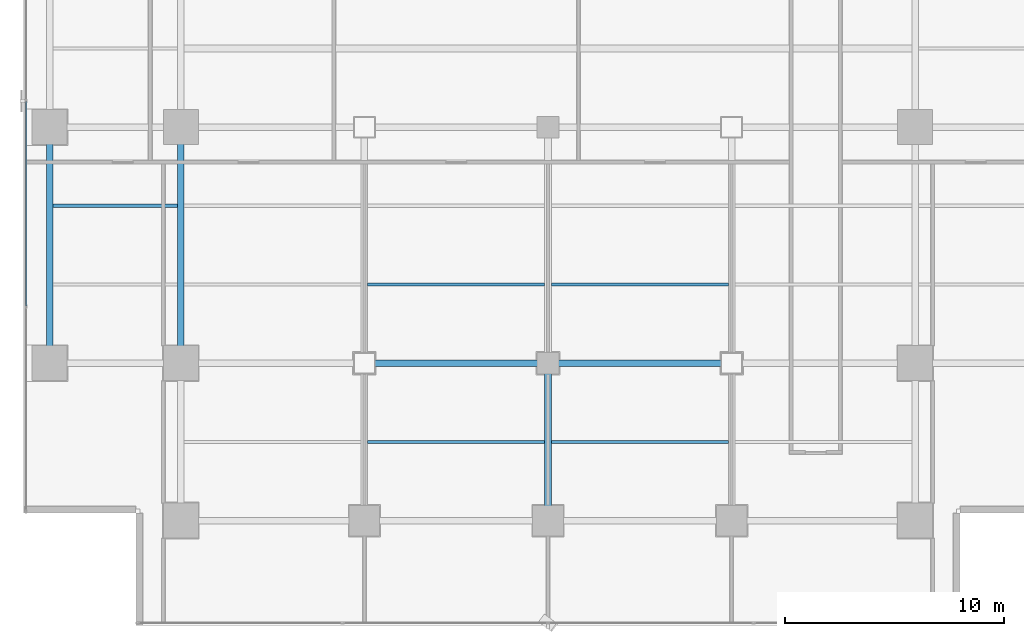
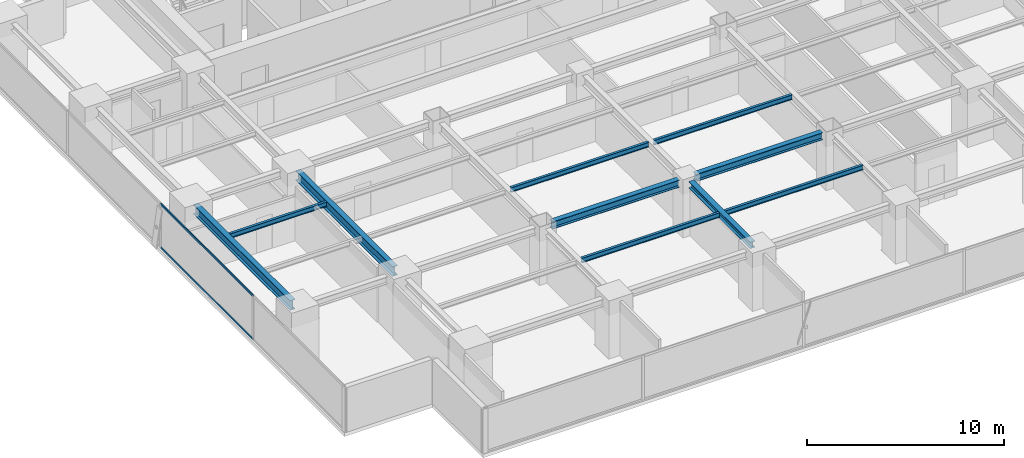
# One storey, part 6 of 28: 10 beams, 2 members, 1 element without a shape of its own.
"""IFC4 building model written with IfcOpenShell, lengths in metres."""

from ifc_helpers import new_model, si_unit, direction, frame, origin, origin_2d, place, context, subcontext, project, spatial, hollow_rectangle, i_section, extrude, source, transform, mapped, material, layer, layer_set, material_profile, profile_set, type_object, element, aggregate, save


model = new_model("IFC4")

# Units and contexts
model_context = context("Model", 3, precision=1e-05, world=origin(), true_north=direction((0.0, 1.0)))
body_context = subcontext(model_context, "Body", "Model", "MODEL_VIEW")
ifc_project = project(units=[si_unit("LENGTHUNIT", "METRE"), si_unit("AREAUNIT", "SQUARE_METRE"), si_unit("VOLUMEUNIT", "CUBIC_METRE"), si_unit("PLANEANGLEUNIT", "RADIAN"), si_unit("MASSUNIT", "GRAM", prefix="KILO")], contexts=[model_context])

# Site, building, storey
site_placement = place(None, origin())
site = spatial("IfcSite", under=ifc_project, at=site_placement, CompositionType="ELEMENT")
building_placement = place(site_placement, origin())
building = spatial("IfcBuilding", under=site, at=building_placement, Name="Sumidabori Civic Tower", CompositionType="ELEMENT")
storey_placement = place(building_placement, frame((0.0, 0.0, 149.60009765625)))
storey = spatial("IfcBuildingStorey", under=building, at=storey_placement, Name="L38", CompositionType="ELEMENT", Elevation=149.60009765625)

# Beams
ifc_material_1 = material(Name="Steel SN490", Category="steel")
ifc_material_profile_1 = material_profile(ifc_material_1, i_section(OverallWidth=0.300048828125, OverallDepth=0.39990234375, WebThickness=0.013427734375, FlangeThickness=0.02392578125, at=origin_2d()), Name="HE 400 B")
ifc_profile_set_1 = profile_set([ifc_material_profile_1], Name="Steel SN490")
beam_type_1 = type_object("IfcBeamType", Name="BM-GIRD-400", PredefinedType="BEAM", material=ifc_profile_set_1)
shared_shape_1 = source(origin(), body_context, "Body", "SweptSolid", [
    extrude(i_section(OverallWidth=0.300048828125, OverallDepth=0.39990234375, WebThickness=0.013427734375, FlangeThickness=0.02392578125, at=origin_2d()), origin(), (0.0, 0.0, 1.0), 6.239990234375),
])
beam_1_placement = place(storey_placement, frame((0.0, -17.52001953125, 3.179931640625), z_axis=(0.0, 1.0, 0.0), x_axis=(-1.0, 0.0, 0.0)))
element("IfcBeam", 1, at=beam_1_placement, inside=storey, type_object=beam_type_1, Name="Primary Girder L38 GY-28", PredefinedType="BEAM", context=body_context, shape_type="MappedRepresentation", body=[
    mapped(shared_shape_1, transform((0.0, 0.0, 0.0), x_axis=(1.0, 0.0, 0.0), y_axis=(0.0, 1.0, 0.0), z_axis=(0.0, 0.0, 1.0), scale=1.0)),
])
ifc_material_profile_2 = material_profile(ifc_material_1, i_section(OverallWidth=0.300048828125, OverallDepth=0.60009765625, WebThickness=0.015380859375, FlangeThickness=0.030029296875, at=origin_2d()), Name="HE 600 B")
ifc_profile_set_2 = profile_set([ifc_material_profile_2], Name="Steel SN490")
beam_type_2 = type_object("IfcBeamType", Name="BM-GIRD-600", PredefinedType="BEAM", material=ifc_profile_set_2)
shared_shape_2 = source(origin(), body_context, "Body", "SweptSolid", [
    extrude(i_section(OverallWidth=0.300048828125, OverallDepth=0.60009765625, WebThickness=0.015380859375, FlangeThickness=0.030029296875, at=origin_2d()), origin(), (0.0, 0.0, 1.0), 9.840087890625),
])
for number, where, z_axis, x_axis, name in (
    (2, (-22.800048828125, -10.320068359375, 3.079833984375), (0.0, 1.0, 0.0), (-1.0, 0.0, 0.0), "Primary Girder L38 GY-19"),
    (3, (-16.800048828125, -10.320068359375, 3.079833984375), (0.0, 1.0, 0.0), (-1.0, 0.0, 0.0), "Primary Girder L38 GY-23"),
):
    element("IfcBeam", number, at=place(storey_placement, frame(where, z_axis=z_axis, x_axis=x_axis)), inside=storey, type_object=beam_type_2, Name=name, PredefinedType="BEAM", context=body_context, shape_type="MappedRepresentation", body=[
        mapped(shared_shape_2, transform((0.0, 0.0, 0.0), x_axis=(1.0, 0.0, 0.0), y_axis=(0.0, 1.0, 0.0), z_axis=(0.0, 0.0, 1.0), scale=1.0)),
    ])
ifc_material_profile_3 = material_profile(ifc_material_1, i_section(OverallWidth=0.14990234375, OverallDepth=0.300048828125, WebThickness=0.007080078125, FlangeThickness=0.0107421875, at=origin_2d()), Name="IPE 300")
ifc_profile_set_3 = profile_set([ifc_material_profile_3], Name="Steel SN490")
beam_type_3 = type_object("IfcBeamType", Name="BM-JST-300", PredefinedType="JOIST", material=ifc_profile_set_3)
shared_shape_3 = source(origin(), body_context, "Body", "SweptSolid", [
    extrude(i_section(OverallWidth=0.14990234375, OverallDepth=0.300048828125, WebThickness=0.007080078125, FlangeThickness=0.0107421875, at=origin_2d()), origin(), (0.0, 0.0, 1.0), 5.699951171875),
])
beam_2_placement = place(storey_placement, frame((-22.64990234375, -3.60009765625, 3.22998046875), z_axis=(1.0, 0.0, 0.0), x_axis=(0.0, 1.0, 0.0)))
element("IfcBeam", 4, at=beam_2_placement, inside=storey, type_object=beam_type_3, Name="Outer Bay Floor Joist L38 JSTO-41", PredefinedType="JOIST", context=body_context, shape_type="MappedRepresentation", body=[
    mapped(shared_shape_3, transform((0.0, 0.0, 0.0), x_axis=(1.0, 0.0, 0.0), y_axis=(0.0, 1.0, 0.0), z_axis=(0.0, 0.0, 1.0), scale=1.0)),
])
shared_shape_4 = source(origin(), body_context, "Body", "SweptSolid", [
    extrude(i_section(OverallWidth=0.14990234375, OverallDepth=0.300048828125, WebThickness=0.007080078125, FlangeThickness=0.0107421875, at=origin_2d()), origin(), (0.0, 0.0, 1.0), 8.10009765625),
])
for number, where, z_axis, x_axis, name in (
    (5, (-8.25, -14.39990234375, 3.22998046875), (1.0, 0.0, 0.0), (0.0, 1.0, 0.0), "South Bay Floor Joist L38 JSTS-50"),
    (6, (0.14990234375, -14.39990234375, 3.22998046875), (1.0, 0.0, 0.0), (0.0, 1.0, 0.0), "South Bay Floor Joist L38 JSTS-51"),
    (7, (-8.25, -7.199951171875, 3.22998046875), (1.0, 0.0, 0.0), (0.0, 1.0, 0.0), "South Bay Floor Joist L38 JSTS-54"),
    (8, (0.14990234375, -7.199951171875, 3.22998046875), (1.0, 0.0, 0.0), (0.0, 1.0, 0.0), "South Bay Floor Joist L38 JSTS-55"),
):
    element("IfcBeam", number, at=place(storey_placement, frame(where, z_axis=z_axis, x_axis=x_axis)), inside=storey, type_object=beam_type_3, Name=name, PredefinedType="JOIST", context=body_context, shape_type="MappedRepresentation", body=[
        mapped(shared_shape_4, transform((0.0, 0.0, 0.0), x_axis=(1.0, 0.0, 0.0), y_axis=(0.0, 1.0, 0.0), z_axis=(0.0, 0.0, 1.0), scale=1.0)),
    ])
ifc_material_profile_4 = material_profile(ifc_material_1, i_section(OverallWidth=0.300048828125, OverallDepth=0.449951171875, WebThickness=0.013916015625, FlangeThickness=0.02587890625, at=origin_2d()), Name="HE 450 B")
ifc_profile_set_4 = profile_set([ifc_material_profile_4], Name="Steel SN490")
beam_type_4 = type_object("IfcBeamType", Name="BM-GIRD-450", PredefinedType="BEAM", material=ifc_profile_set_4)
shared_shape_5 = source(origin(), body_context, "Body", "SweptSolid", [
    extrude(i_section(OverallWidth=0.300048828125, OverallDepth=0.449951171875, WebThickness=0.013916015625, FlangeThickness=0.02587890625, at=origin_2d()), origin(), (0.0, 0.0, 1.0), 7.43994140625),
])
for number, where, z_axis, x_axis, name in (
    (9, (-7.919921875, -10.800048828125, 3.15478515625), (1.0, 0.0, 0.0), (0.0, 1.0, 0.0), "Primary Girder L38 GX-07"),
    (10, (0.47998046875, -10.800048828125, 3.15478515625), (1.0, 0.0, 0.0), (0.0, 1.0, 0.0), "Primary Girder L38 GX-08"),
):
    element("IfcBeam", number, at=place(storey_placement, frame(where, z_axis=z_axis, x_axis=x_axis)), inside=storey, type_object=beam_type_4, Name=name, PredefinedType="BEAM", context=body_context, shape_type="MappedRepresentation", body=[
        mapped(shared_shape_5, transform((0.0, 0.0, 0.0), x_axis=(1.0, 0.0, 0.0), y_axis=(0.0, 1.0, 0.0), z_axis=(0.0, 0.0, 1.0), scale=1.0)),
    ])

# Curtain wall, members
ifc_material_2 = material(Name="Anodised Bronze Aluminium AW-6063-T6", Category="aluminium")
ifc_layer = layer(ifc_material_2, 0.179931640625, Name="Anodised Bronze Aluminium AW-6063-T6")
ifc_layer_set = layer_set([ifc_layer], Name="Anodised Bronze Aluminium AW-6063-T6")
curtain_wall_type = type_object("IfcCurtainWallType", Name="CW-SYS-3", PredefinedType="NOTDEFINED", material=ifc_layer_set)
curtain_wall_placement = place(storey_placement, origin())
curtain_wall = element("IfcCurtainWall", 11, at=curtain_wall_placement, inside=storey, type_object=curtain_wall_type, Name="Curtain Wall CW:L38:R10", PredefinedType="NOTDEFINED")
ifc_material_profile_5 = material_profile(ifc_material_2, hollow_rectangle(XDim=0.06005859375, YDim=0.1298828125, WallThickness=0.0048828125, at=origin_2d()), Name="ALU TRANSOM 130x60")
ifc_profile_set_5 = profile_set([ifc_material_profile_5], Name="Anodised Bronze Aluminium AW-6063-T6")
member_type = type_object("IfcMemberType", Name="CW-TRN-130", PredefinedType="USERDEFINED", material=ifc_profile_set_5)
shared_shape_6 = source(origin(), body_context, "Body", "SweptSolid", [
    extrude(hollow_rectangle(XDim=0.06005859375, YDim=0.1298828125, WallThickness=0.0048828125, at=origin_2d()), origin(), (0.0, 0.0, 1.0), 9.344970703125),
])
member_1_placement = place(storey_placement, frame((-23.8798828125, 1.16748046875, 0.02978515625), z_axis=(0.0, -1.0, 0.0), x_axis=(1.0, 0.0, 0.0)))
member_1 = element("IfcMember", 12, at=member_1_placement, type_object=member_type, Name="CW-3 transom 3.1", ObjectType="TRANSOM", PredefinedType="USERDEFINED", context=body_context, shape_type="MappedRepresentation", body=[
    mapped(shared_shape_6, transform((0.0, 0.0, 0.0), x_axis=(1.0, 0.0, 0.0), y_axis=(0.0, 1.0, 0.0), z_axis=(0.0, 0.0, 1.0), scale=1.0)),
])
member_2_placement = place(storey_placement, frame((-23.8798828125, 1.16748046875, 2.72998046875), z_axis=(0.0, -1.0, 0.0), x_axis=(1.0, 0.0, 0.0)))
member_2 = element("IfcMember", 13, at=member_2_placement, type_object=member_type, Name="CW-3 transom 3.2", ObjectType="TRANSOM", PredefinedType="USERDEFINED", context=body_context, shape_type="MappedRepresentation", body=[
    mapped(shared_shape_6, transform((0.0, 0.0, 0.0), x_axis=(1.0, 0.0, 0.0), y_axis=(0.0, 1.0, 0.0), z_axis=(0.0, 0.0, 1.0), scale=1.0)),
])
aggregate(curtain_wall, [member_1, member_2])

save(model, "model.ifc")
